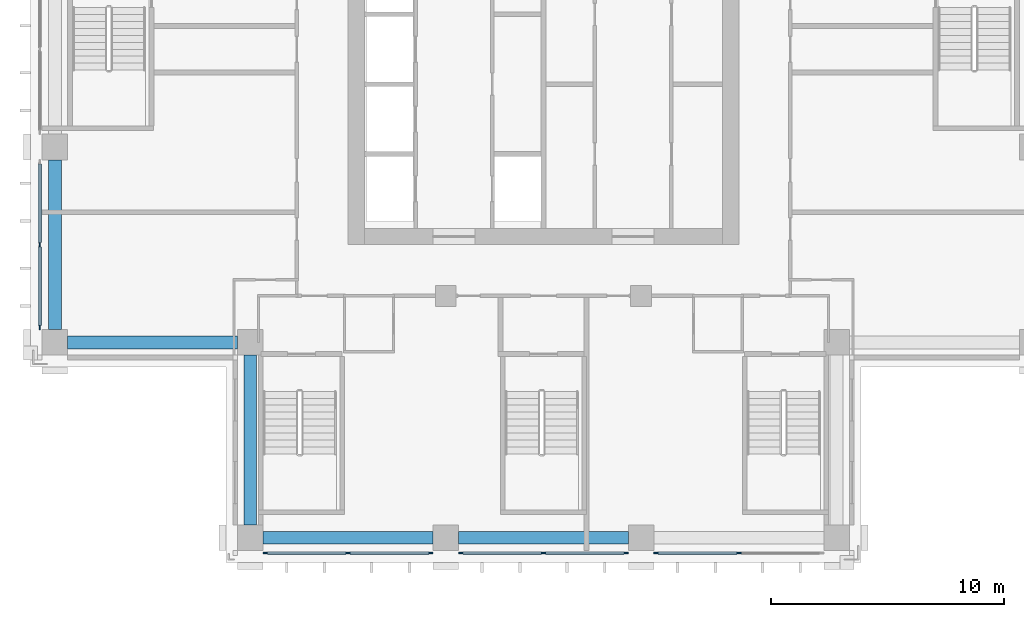
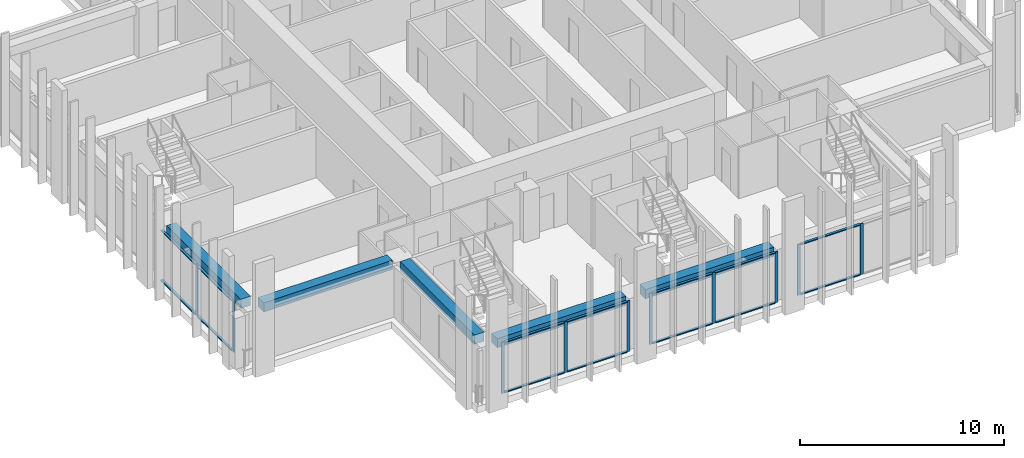
# One storey, part 2 of 16: 24 members, 5 beams, 4 elements without a shape of their own.
"""IFC4 building model written with IfcOpenShell, lengths in metres."""

import ifcopenshell
import ifcopenshell.guid

model = None  # the IFC model being written
_history = None  # IfcOwnerHistory: only IFC2X3 demands one
_inside = {}  # id of a spatial element -> (the spatial element, [elements in it])
_under = {}  # id of a project, library or spatial element -> (it, [spatial elements below it])
_declared = {}  # id of a project -> (the project, [libraries it declares])
_typed = {}  # id of a type object -> (the type object, [elements of that type])
_made_of = {}  # id of a material, layer set ... -> (it, [elements and type objects made of it])


def new_model(schema):
    """Start an empty IFC model of exactly this schema.

    Asked for "IFC4X3", IfcOpenShell would pick the latest addendum, in which some entities
    have other attributes; the version numbers below select the first issue.
    IFC2X3 requires an IfcOwnerHistory on every rooted entity: one is made here for all.
    """
    global model, _history
    if schema == "IFC4X3":
        model = ifcopenshell.file(schema_version=(4, 3, 0, 0))
    else:
        model = ifcopenshell.file(schema=schema)
    _inside.clear()
    _under.clear()
    _declared.clear()
    _typed.clear()
    _made_of.clear()
    _history = None
    if model.schema == "IFC2X3":
        org = make("IfcOrganization", Name="unknown")
        user = make(
            "IfcPersonAndOrganization",
            ThePerson=make("IfcPerson", FamilyName="unknown"),
            TheOrganization=org,
        )
        app = make(
            "IfcApplication",
            ApplicationDeveloper=org,
            Version="unknown",
            ApplicationFullName="unknown",
            ApplicationIdentifier="unknown",
        )
        _history = make(
            "IfcOwnerHistory",
            OwningUser=user,
            OwningApplication=app,
            ChangeAction="ADDED",
            CreationDate=0,
        )
    return model


def make(cls, **values):
    """One entity of the class cls with the attributes given. An attribute that is None is left unset."""
    return model.create_entity(
        cls, **{name: value for name, value in values.items() if value is not None}
    )


def rooted(cls, **values):
    """An entity with a GlobalId (a new one), such as an element, a storey or a relation."""
    return make(cls, GlobalId=ifcopenshell.guid.new(), OwnerHistory=_history, **values)


def si_unit(unit_type, name, prefix=None):
    """IfcSIUnit, for example si_unit("LENGTHUNIT", "METRE", prefix="MILLI")."""
    return make("IfcSIUnit", UnitType=unit_type, Prefix=prefix, Name=name)


def assignment(units):
    """IfcUnitAssignment: the units of a project."""
    return None if units is None else make("IfcUnitAssignment", Units=units)


def point(xyz):
    """IfcCartesianPoint."""
    return None if xyz is None else make("IfcCartesianPoint", Coordinates=xyz)


def direction(xyz):
    """IfcDirection."""
    return None if xyz is None else make("IfcDirection", DirectionRatios=xyz)


def frame(location, z_axis=None, x_axis=None):
    """IfcAxis2Placement3D, a coordinate frame: its origin and axes. An axis left out is left unset."""
    return make(
        "IfcAxis2Placement3D",
        Location=point(location),
        Axis=direction(z_axis),
        RefDirection=direction(x_axis),
    )


def frame_2d(location, x_axis=None):
    """IfcAxis2Placement2D, a coordinate frame in the plane: its origin and x axis."""
    return make(
        "IfcAxis2Placement2D", Location=point(location), RefDirection=direction(x_axis)
    )


def origin():
    """The frame at (0, 0, 0) with its axes left unset."""
    return frame((0.0, 0.0, 0.0))


def origin_2d():
    """The frame at (0, 0) in the plane with its x axis left unset."""
    return frame_2d((0.0, 0.0))


def place(relative_to, where):
    """IfcLocalPlacement: puts the frame where relative to a parent placement (None: the world)."""
    return make(
        "IfcLocalPlacement", PlacementRelTo=relative_to, RelativePlacement=where
    )


def context(
    kind, dimensions, precision=None, world=None, true_north=None, identifier=None
):
    """IfcGeometricRepresentationContext, for example the 3D "Model" context."""
    return make(
        "IfcGeometricRepresentationContext",
        ContextIdentifier=identifier,
        ContextType=kind,
        CoordinateSpaceDimension=dimensions,
        Precision=precision,
        WorldCoordinateSystem=world,
        TrueNorth=true_north,
    )


def subcontext(parent, identifier, kind, view, scale=None):
    """IfcGeometricRepresentationSubContext, for example "Body" below "Model"."""
    return make(
        "IfcGeometricRepresentationSubContext",
        ContextIdentifier=identifier,
        ContextType=kind,
        ParentContext=parent,
        TargetScale=scale,
        TargetView=view,
    )


def project(units=None, contexts=None):
    """IfcProject with its units and contexts."""
    return rooted(
        "IfcProject",
        Name="project",
        RepresentationContexts=contexts,
        UnitsInContext=assignment(units),
    )


def spatial(cls, under=None, at=None, **own):
    """A site, building, storey or space (cls), placed at a placement, below another one or the project."""
    s = rooted(cls, ObjectPlacement=at, **own)
    if under is not None:
        _under.setdefault(under.id(), (under, []))[1].append(s)
    return s


def profile(cls, at=None, kind="AREA", **sizes):
    """A parametric profile (cls). Its sizes go by their IFC names, for example OverallWidth=200.0."""
    return make(cls, ProfileType=kind, Position=at, **sizes)


def rectangle(**sizes):
    """IfcRectangleProfileDef."""
    return profile("IfcRectangleProfileDef", **sizes)


def extrude(swept, where, along, depth):
    """IfcExtrudedAreaSolid: the profile swept, set in the frame where, extruded along a direction by depth."""
    return make(
        "IfcExtrudedAreaSolid",
        SweptArea=swept,
        Position=where,
        ExtrudedDirection=direction(along),
        Depth=depth,
    )


def shape(context_of_items, identifier, shape_type, items):
    """IfcShapeRepresentation: the items that make up one representation, for example the "Body"."""
    return make(
        "IfcShapeRepresentation",
        ContextOfItems=context_of_items,
        RepresentationIdentifier=identifier,
        RepresentationType=shape_type,
        Items=items,
    )


def material(Name=None, Category=None):
    """IfcMaterial."""
    return make("IfcMaterial", Name=Name, Category=Category)


def material_profile(
    of_material, cross_section, Name=None, Category=None, Priority=None
):
    """IfcMaterialProfile: a cross section and its material."""
    return make(
        "IfcMaterialProfile",
        Name=Name,
        Material=of_material,
        Profile=cross_section,
        Priority=Priority,
        Category=Category,
    )


def profile_set(profiles, Name=None, composite=None):
    """IfcMaterialProfileSet."""
    return make(
        "IfcMaterialProfileSet",
        Name=Name,
        MaterialProfiles=profiles,
        CompositeProfile=composite,
    )


def made_of(thing, what):
    """Note that an element or type object is made of a material, layer set ...; save() writes the relation."""
    if what is not None:
        _made_of.setdefault(what.id(), (what, []))[1].append(thing)
    return thing


def type_object(cls, material=None, **own):
    """A type object (cls), such as IfcWallType, which elements share."""
    return made_of(rooted(cls, **own), material)


def element(
    cls,
    number,
    at=None,
    inside=None,
    cuts=None,
    type_object=None,
    material=None,
    context=None,
    identifier="Body",
    shape_type=None,
    held_by="IfcProductDefinitionShape",
    body=None,
    shapes=None,
    **own,
):
    """One element of the class cls, such as IfcWall. Its Tag is "e" and its number.

    at: its placement. inside: the storey or other place that contains it. cuts: it is an
    opening in that element (IfcRelVoidsElement). A single representation is given by context,
    identifier, shape_type and body (its items); several are given by shapes. held_by: the class
    of the entity that holds the representations. save() writes the other relations.
    """
    e = rooted(cls, Tag="e%d" % number, ObjectPlacement=at, **own)
    if body is not None:
        shapes = [shape(context, identifier, shape_type, body)]
    if shapes is not None:
        e.Representation = make(held_by, Representations=shapes)
    if inside is not None:
        _inside.setdefault(inside.id(), (inside, []))[1].append(e)
    if cuts is not None:
        rooted(
            "IfcRelVoidsElement", RelatingBuildingElement=cuts, RelatedOpeningElement=e
        )
    if type_object is not None:
        _typed.setdefault(type_object.id(), (type_object, []))[1].append(e)
    return made_of(e, material)


def aggregate(whole, parts):
    """IfcRelAggregates: a whole, such as a stair, and the parts it consists of."""
    return rooted("IfcRelAggregates", RelatingObject=whole, RelatedObjects=parts)


def save(model, path):
    """Write the relations noted so far, then the file.

    IfcRelAggregates (storeys below a building ...), IfcRelContainedInSpatialStructure (elements
    in a storey), IfcRelDefinesByType, IfcRelAssociatesMaterial and IfcRelDeclares: one each for
    every whole, place, type object, material and project.
    """
    for whole, parts in _under.values():
        aggregate(whole, parts)
    for where, things in _inside.values():
        rooted(
            "IfcRelContainedInSpatialStructure",
            RelatedElements=things,
            RelatingStructure=where,
        )
    for kind, things in _typed.values():
        rooted("IfcRelDefinesByType", RelatedObjects=things, RelatingType=kind)
    for what, things in _made_of.values():
        rooted("IfcRelAssociatesMaterial", RelatedObjects=things, RelatingMaterial=what)
    for by, libraries in _declared.values():
        rooted("IfcRelDeclares", RelatingContext=by, RelatedDefinitions=libraries)
    model.write(path)


model = new_model("IFC4")

# Units and contexts
model_context = context("Model", 3, precision=1e-05, world=origin(), true_north=direction((0.0, 1.0)))
body_context = subcontext(model_context, "Body", "Model", "MODEL_VIEW")
ifc_project = project(units=[si_unit("LENGTHUNIT", "METRE"), si_unit("AREAUNIT", "SQUARE_METRE"), si_unit("VOLUMEUNIT", "CUBIC_METRE"), si_unit("PLANEANGLEUNIT", "RADIAN"), si_unit("MASSUNIT", "GRAM", prefix="KILO")], contexts=[model_context])

# Site, building, storey
site_placement = place(None, origin())
site = spatial("IfcSite", under=ifc_project, at=site_placement, CompositionType="ELEMENT")
building_placement = place(site_placement, origin())
building = spatial("IfcBuilding", under=site, at=building_placement, Name="Vermilion Ogive Tower", CompositionType="ELEMENT")
storey_placement = place(building_placement, frame((0.0, 0.0, 164.14990234375)))
storey = spatial("IfcBuildingStorey", under=building, at=storey_placement, Name="L42", CompositionType="ELEMENT", Elevation=164.14990234375)

# Curtain wall, members
ifc_material_1 = material(Name="Low-iron laminated glazing in aluminium frame", Category="aluminium")
curtain_wall_type = type_object("IfcCurtainWallType", Name="Curtain wall CW7", PredefinedType="NOTDEFINED", material=ifc_material_1)
curtain_wall_1_placement = place(storey_placement, origin())
curtain_wall_1 = element("IfcCurtainWall", 1, at=curtain_wall_1_placement, inside=storey, type_object=curtain_wall_type, Name="Glazed skin S1", PredefinedType="NOTDEFINED")
ifc_material_2 = material(Name="Aluminium mullion", Category="aluminium")
ifc_material_profile_1 = material_profile(ifc_material_2, rectangle(XDim=0.06005859375, YDim=0.179931640625, at=origin_2d()), Name="AL 60x180")
ifc_profile_set_1 = profile_set([ifc_material_profile_1], Name="Aluminium mullion")
member_type_1 = type_object("IfcMemberType", Name="CW7 mullion 60x180", PredefinedType="MULLION", material=ifc_profile_set_1)
member_1_placement = place(storey_placement, frame((-11.9599609375, -21.64990234375, 0.0), z_axis=(0.0, 0.0, 1.0), x_axis=(0.0, 1.0, 0.0)))
member_1 = element("IfcMember", 2, at=member_1_placement, type_object=member_type_1, Name="CW7-S1 mullion 1", PredefinedType="MULLION", context=body_context, shape_type="SweptSolid", body=[
    extrude(rectangle(XDim=0.06005859375, YDim=0.179931640625, at=origin_2d()), origin(), (0.0, 0.0, 1.0), 3.050048828125),
])
member_2_placement = place(storey_placement, frame((-8.39990234375, -21.64990234375, 0.0), z_axis=(0.0, 0.0, 1.0), x_axis=(0.0, 1.0, 0.0)))
member_2 = element("IfcMember", 3, at=member_2_placement, type_object=member_type_1, Name="CW7-S1 mullion 2", PredefinedType="MULLION", context=body_context, shape_type="SweptSolid", body=[
    extrude(rectangle(XDim=0.06005859375, YDim=0.179931640625, at=origin_2d()), origin(), (0.0, 0.0, 1.0), 3.050048828125),
])
member_3_placement = place(storey_placement, frame((-4.840087890625, -21.64990234375, 0.0), z_axis=(0.0, 0.0, 1.0), x_axis=(0.0, 1.0, 0.0)))
member_3 = element("IfcMember", 4, at=member_3_placement, type_object=member_type_1, Name="CW7-S1 mullion 3", PredefinedType="MULLION", context=body_context, shape_type="SweptSolid", body=[
    extrude(rectangle(XDim=0.06005859375, YDim=0.179931640625, at=origin_2d()), origin(), (0.0, 0.0, 1.0), 3.050048828125),
])

curtain_wall_2_placement = place(storey_placement, origin())
curtain_wall_2 = element("IfcCurtainWall", 5, at=curtain_wall_2_placement, inside=storey, type_object=curtain_wall_type, Name="Glazed skin S2", PredefinedType="NOTDEFINED")
member_4_placement = place(storey_placement, frame((-3.56005859375, -21.64990234375, 0.0), z_axis=(0.0, 0.0, 1.0), x_axis=(0.0, 1.0, 0.0)))
member_4 = element("IfcMember", 6, at=member_4_placement, type_object=member_type_1, Name="CW7-S2 mullion 1", PredefinedType="MULLION", context=body_context, shape_type="SweptSolid", body=[
    extrude(rectangle(XDim=0.06005859375, YDim=0.179931640625, at=origin_2d()), origin(), (0.0, 0.0, 1.0), 3.050048828125),
])
member_5_placement = place(storey_placement, frame((0.0, -21.64990234375, 0.0), z_axis=(0.0, 0.0, 1.0), x_axis=(0.0, 1.0, 0.0)))
member_5 = element("IfcMember", 7, at=member_5_placement, type_object=member_type_1, Name="CW7-S2 mullion 2", PredefinedType="MULLION", context=body_context, shape_type="SweptSolid", body=[
    extrude(rectangle(XDim=0.06005859375, YDim=0.179931640625, at=origin_2d()), origin(), (0.0, 0.0, 1.0), 3.050048828125),
])
member_6_placement = place(storey_placement, frame((3.56005859375, -21.64990234375, 0.0), z_axis=(0.0, 0.0, 1.0), x_axis=(0.0, 1.0, 0.0)))
member_6 = element("IfcMember", 8, at=member_6_placement, type_object=member_type_1, Name="CW7-S2 mullion 3", PredefinedType="MULLION", context=body_context, shape_type="SweptSolid", body=[
    extrude(rectangle(XDim=0.06005859375, YDim=0.179931640625, at=origin_2d()), origin(), (0.0, 0.0, 1.0), 3.050048828125),
])

curtain_wall_3_placement = place(storey_placement, origin())
curtain_wall_3 = element("IfcCurtainWall", 9, at=curtain_wall_3_placement, inside=storey, type_object=curtain_wall_type, Name="Glazed skin S3", PredefinedType="NOTDEFINED")
member_7_placement = place(storey_placement, frame((4.840087890625, -21.64990234375, 0.0), z_axis=(0.0, 0.0, 1.0), x_axis=(0.0, 1.0, 0.0)))
member_7 = element("IfcMember", 10, at=member_7_placement, type_object=member_type_1, Name="CW7-S3 mullion 1", PredefinedType="MULLION", context=body_context, shape_type="SweptSolid", body=[
    extrude(rectangle(XDim=0.06005859375, YDim=0.179931640625, at=origin_2d()), origin(), (0.0, 0.0, 1.0), 3.050048828125),
])
member_8_placement = place(storey_placement, frame((8.39990234375, -21.64990234375, 0.0), z_axis=(0.0, 0.0, 1.0), x_axis=(0.0, 1.0, 0.0)))
member_8 = element("IfcMember", 11, at=member_8_placement, type_object=member_type_1, Name="CW7-S3 mullion 2", PredefinedType="MULLION", context=body_context, shape_type="SweptSolid", body=[
    extrude(rectangle(XDim=0.06005859375, YDim=0.179931640625, at=origin_2d()), origin(), (0.0, 0.0, 1.0), 3.050048828125),
])

curtain_wall_4_placement = place(storey_placement, origin())
curtain_wall_4 = element("IfcCurtainWall", 12, at=curtain_wall_4_placement, inside=storey, type_object=curtain_wall_type, Name="Glazed skin W3", PredefinedType="NOTDEFINED")
member_9_placement = place(storey_placement, frame((-21.64990234375, -8.39990234375, 0.0), z_axis=(0.0, 0.0, 1.0), x_axis=(1.0, 0.0, 0.0)))
member_9 = element("IfcMember", 13, at=member_9_placement, type_object=member_type_1, Name="CW7-W3 mullion 2", PredefinedType="MULLION", context=body_context, shape_type="SweptSolid", body=[
    extrude(rectangle(XDim=0.06005859375, YDim=0.179931640625, at=origin_2d()), origin(), (0.0, 0.0, 1.0), 3.050048828125),
])
member_10_placement = place(storey_placement, frame((-21.64990234375, -11.9599609375, 0.0), z_axis=(0.0, 0.0, 1.0), x_axis=(1.0, 0.0, 0.0)))
member_10 = element("IfcMember", 14, at=member_10_placement, type_object=member_type_1, Name="CW7-W3 mullion 3", PredefinedType="MULLION", context=body_context, shape_type="SweptSolid", body=[
    extrude(rectangle(XDim=0.06005859375, YDim=0.179931640625, at=origin_2d()), origin(), (0.0, 0.0, 1.0), 3.050048828125),
])

# Member
ifc_material_3 = material(Name="Aluminium transom", Category="aluminium")
ifc_material_profile_2 = material_profile(ifc_material_3, rectangle(XDim=0.139892578125, YDim=0.06005859375, at=origin_2d()), Name="AL 60x140")
ifc_profile_set_2 = profile_set([ifc_material_profile_2], Name="Aluminium transom")
member_type_2 = type_object("IfcMemberType", Name="CW7 transom 60x140", PredefinedType="USERDEFINED", material=ifc_profile_set_2)
member_11_placement = place(storey_placement, frame((-11.8701171875, -21.64990234375, 0.030029296875), z_axis=(1.0, 0.0, 0.0), x_axis=(0.0, 1.0, 0.0)))
member_11 = element("IfcMember", 15, at=member_11_placement, type_object=member_type_2, Name="CW7-S1 transom 1.1", ObjectType="TRANSOM", PredefinedType="USERDEFINED", context=body_context, shape_type="SweptSolid", body=[
    extrude(rectangle(XDim=0.139892578125, YDim=0.06005859375, at=origin_2d()), origin(), (0.0, 0.0, 1.0), 3.380126953125),
])

member_12_placement = place(storey_placement, frame((-11.8701171875, -21.64990234375, 3.02001953125), z_axis=(1.0, 0.0, 0.0), x_axis=(0.0, 1.0, 0.0)))
member_12 = element("IfcMember", 16, at=member_12_placement, type_object=member_type_2, Name="CW7-S1 transom 1.2", ObjectType="TRANSOM", PredefinedType="USERDEFINED", context=body_context, shape_type="SweptSolid", body=[
    extrude(rectangle(XDim=0.139892578125, YDim=0.06005859375, at=origin_2d()), origin(), (0.0, 0.0, 1.0), 3.380126953125),
])

member_13_placement = place(storey_placement, frame((-8.31005859375, -21.64990234375, 0.030029296875), z_axis=(1.0, 0.0, 0.0), x_axis=(0.0, 1.0, 0.0)))
member_13 = element("IfcMember", 17, at=member_13_placement, type_object=member_type_2, Name="CW7-S1 transom 2.1", ObjectType="TRANSOM", PredefinedType="USERDEFINED", context=body_context, shape_type="SweptSolid", body=[
    extrude(rectangle(XDim=0.139892578125, YDim=0.06005859375, at=origin_2d()), origin(), (0.0, 0.0, 1.0), 3.380126953125),
])

member_14_placement = place(storey_placement, frame((-8.31005859375, -21.64990234375, 3.02001953125), z_axis=(1.0, 0.0, 0.0), x_axis=(0.0, 1.0, 0.0)))
member_14 = element("IfcMember", 18, at=member_14_placement, type_object=member_type_2, Name="CW7-S1 transom 2.2", ObjectType="TRANSOM", PredefinedType="USERDEFINED", context=body_context, shape_type="SweptSolid", body=[
    extrude(rectangle(XDim=0.139892578125, YDim=0.06005859375, at=origin_2d()), origin(), (0.0, 0.0, 1.0), 3.380126953125),
])

aggregate(curtain_wall_1, [member_1, member_2, member_3, member_11, member_12, member_13, member_14])

member_15_placement = place(storey_placement, frame((-3.469970703125, -21.64990234375, 0.030029296875), z_axis=(1.0, 0.0, 0.0), x_axis=(0.0, 1.0, 0.0)))
member_15 = element("IfcMember", 19, at=member_15_placement, type_object=member_type_2, Name="CW7-S2 transom 1.1", ObjectType="TRANSOM", PredefinedType="USERDEFINED", context=body_context, shape_type="SweptSolid", body=[
    extrude(rectangle(XDim=0.139892578125, YDim=0.06005859375, at=origin_2d()), origin(), (0.0, 0.0, 1.0), 3.3798828125),
])

member_16_placement = place(storey_placement, frame((-3.469970703125, -21.64990234375, 3.02001953125), z_axis=(1.0, 0.0, 0.0), x_axis=(0.0, 1.0, 0.0)))
member_16 = element("IfcMember", 20, at=member_16_placement, type_object=member_type_2, Name="CW7-S2 transom 1.2", ObjectType="TRANSOM", PredefinedType="USERDEFINED", context=body_context, shape_type="SweptSolid", body=[
    extrude(rectangle(XDim=0.139892578125, YDim=0.06005859375, at=origin_2d()), origin(), (0.0, 0.0, 1.0), 3.3798828125),
])

member_17_placement = place(storey_placement, frame((0.090087890625, -21.64990234375, 0.030029296875), z_axis=(1.0, 0.0, 0.0), x_axis=(0.0, 1.0, 0.0)))
member_17 = element("IfcMember", 21, at=member_17_placement, type_object=member_type_2, Name="CW7-S2 transom 2.1", ObjectType="TRANSOM", PredefinedType="USERDEFINED", context=body_context, shape_type="SweptSolid", body=[
    extrude(rectangle(XDim=0.139892578125, YDim=0.06005859375, at=origin_2d()), origin(), (0.0, 0.0, 1.0), 3.3798828125),
])

member_18_placement = place(storey_placement, frame((0.090087890625, -21.64990234375, 3.02001953125), z_axis=(1.0, 0.0, 0.0), x_axis=(0.0, 1.0, 0.0)))
member_18 = element("IfcMember", 22, at=member_18_placement, type_object=member_type_2, Name="CW7-S2 transom 2.2", ObjectType="TRANSOM", PredefinedType="USERDEFINED", context=body_context, shape_type="SweptSolid", body=[
    extrude(rectangle(XDim=0.139892578125, YDim=0.06005859375, at=origin_2d()), origin(), (0.0, 0.0, 1.0), 3.3798828125),
])

aggregate(curtain_wall_2, [member_4, member_5, member_6, member_15, member_16, member_17, member_18])

member_19_placement = place(storey_placement, frame((4.929931640625, -21.64990234375, 0.030029296875), z_axis=(1.0, 0.0, 0.0), x_axis=(0.0, 1.0, 0.0)))
member_19 = element("IfcMember", 23, at=member_19_placement, type_object=member_type_2, Name="CW7-S3 transom 1.1", ObjectType="TRANSOM", PredefinedType="USERDEFINED", context=body_context, shape_type="SweptSolid", body=[
    extrude(rectangle(XDim=0.139892578125, YDim=0.06005859375, at=origin_2d()), origin(), (0.0, 0.0, 1.0), 3.380126953125),
])

member_20_placement = place(storey_placement, frame((4.929931640625, -21.64990234375, 3.02001953125), z_axis=(1.0, 0.0, 0.0), x_axis=(0.0, 1.0, 0.0)))
member_20 = element("IfcMember", 24, at=member_20_placement, type_object=member_type_2, Name="CW7-S3 transom 1.2", ObjectType="TRANSOM", PredefinedType="USERDEFINED", context=body_context, shape_type="SweptSolid", body=[
    extrude(rectangle(XDim=0.139892578125, YDim=0.06005859375, at=origin_2d()), origin(), (0.0, 0.0, 1.0), 3.380126953125),
])

aggregate(curtain_wall_3, [member_7, member_8, member_19, member_20])

member_21_placement = place(storey_placement, frame((-21.64990234375, -4.929931640625, 0.030029296875), z_axis=(0.0, -1.0, 0.0), x_axis=(1.0, 0.0, 0.0)))
member_21 = element("IfcMember", 25, at=member_21_placement, type_object=member_type_2, Name="CW7-W3 transom 1.1", ObjectType="TRANSOM", PredefinedType="USERDEFINED", context=body_context, shape_type="SweptSolid", body=[
    extrude(rectangle(XDim=0.139892578125, YDim=0.06005859375, at=origin_2d()), origin(), (0.0, 0.0, 1.0), 3.380126953125),
])

member_22_placement = place(storey_placement, frame((-21.64990234375, -4.929931640625, 3.02001953125), z_axis=(0.0, -1.0, 0.0), x_axis=(1.0, 0.0, 0.0)))
member_22 = element("IfcMember", 26, at=member_22_placement, type_object=member_type_2, Name="CW7-W3 transom 1.2", ObjectType="TRANSOM", PredefinedType="USERDEFINED", context=body_context, shape_type="SweptSolid", body=[
    extrude(rectangle(XDim=0.139892578125, YDim=0.06005859375, at=origin_2d()), origin(), (0.0, 0.0, 1.0), 3.380126953125),
])

member_23_placement = place(storey_placement, frame((-21.64990234375, -8.489990234375, 0.030029296875), z_axis=(0.0, -1.0, 0.0), x_axis=(1.0, 0.0, 0.0)))
member_23 = element("IfcMember", 27, at=member_23_placement, type_object=member_type_2, Name="CW7-W3 transom 2.1", ObjectType="TRANSOM", PredefinedType="USERDEFINED", context=body_context, shape_type="SweptSolid", body=[
    extrude(rectangle(XDim=0.139892578125, YDim=0.06005859375, at=origin_2d()), origin(), (0.0, 0.0, 1.0), 3.380126953125),
])

member_24_placement = place(storey_placement, frame((-21.64990234375, -8.489990234375, 3.02001953125), z_axis=(0.0, -1.0, 0.0), x_axis=(1.0, 0.0, 0.0)))
member_24 = element("IfcMember", 28, at=member_24_placement, type_object=member_type_2, Name="CW7-W3 transom 2.2", ObjectType="TRANSOM", PredefinedType="USERDEFINED", context=body_context, shape_type="SweptSolid", body=[
    extrude(rectangle(XDim=0.139892578125, YDim=0.06005859375, at=origin_2d()), origin(), (0.0, 0.0, 1.0), 3.380126953125),
])

aggregate(curtain_wall_4, [member_9, member_10, member_21, member_22, member_23, member_24])

# Beams
ifc_material_4 = material(Name="Concrete B45", Category="concrete")
ifc_material_profile_3 = material_profile(ifc_material_4, rectangle(XDim=0.550048828125, YDim=0.550048828125, at=origin_2d()), Name="550 x 550")
ifc_profile_set_3 = profile_set([ifc_material_profile_3], Name="Concrete B45")
beam_type = type_object("IfcBeamType", Name="Edge beam 550 x 550 B45", PredefinedType="BEAM", material=ifc_profile_set_3)
beam_1_placement = place(storey_placement, frame((-12.050048828125, -21.0, 2.775146484375), z_axis=(1.0, 0.0, 0.0), x_axis=(0.0, 1.0, 0.0)))
element("IfcBeam", 29, at=beam_1_placement, inside=storey, type_object=beam_type, Name="L42-EB-1", PredefinedType="BEAM", context=body_context, shape_type="SweptSolid", body=[
    extrude(rectangle(XDim=0.550048828125, YDim=0.550048828125, at=origin_2d()), origin(), (0.0, 0.0, 1.0), 7.300048828125),
])
beam_2_placement = place(storey_placement, frame((-3.64990234375, -21.0, 2.775146484375), z_axis=(1.0, 0.0, 0.0), x_axis=(0.0, 1.0, 0.0)))
element("IfcBeam", 30, at=beam_2_placement, inside=storey, type_object=beam_type, Name="L42-EB-2", PredefinedType="BEAM", context=body_context, shape_type="SweptSolid", body=[
    extrude(rectangle(XDim=0.550048828125, YDim=0.550048828125, at=origin_2d()), origin(), (0.0, 0.0, 1.0), 7.2998046875),
])
for number, where, z_axis, x_axis, name in (
    (31, (-21.0, -4.75, 2.775146484375), (0.0, -1.0, 0.0), (1.0, 0.0, 0.0), "L42-EB-15"),
    (32, (-20.449951171875, -12.60009765625, 2.775146484375), (1.0, 0.0, 0.0), (0.0, 1.0, 0.0), "L42-EB-16"),
    (33, (-12.60009765625, -13.14990234375, 2.775146484375), (0.0, -1.0, 0.0), (1.0, 0.0, 0.0), "L42-EB-17"),
):
    element("IfcBeam", number, at=place(storey_placement, frame(where, z_axis=z_axis, x_axis=x_axis)), inside=storey, type_object=beam_type, Name=name, PredefinedType="BEAM", context=body_context, shape_type="SweptSolid", body=[
        extrude(rectangle(XDim=0.550048828125, YDim=0.550048828125, at=origin_2d()), origin(), (0.0, 0.0, 1.0), 7.300048828125),
    ])

save(model, "model.ifc")
